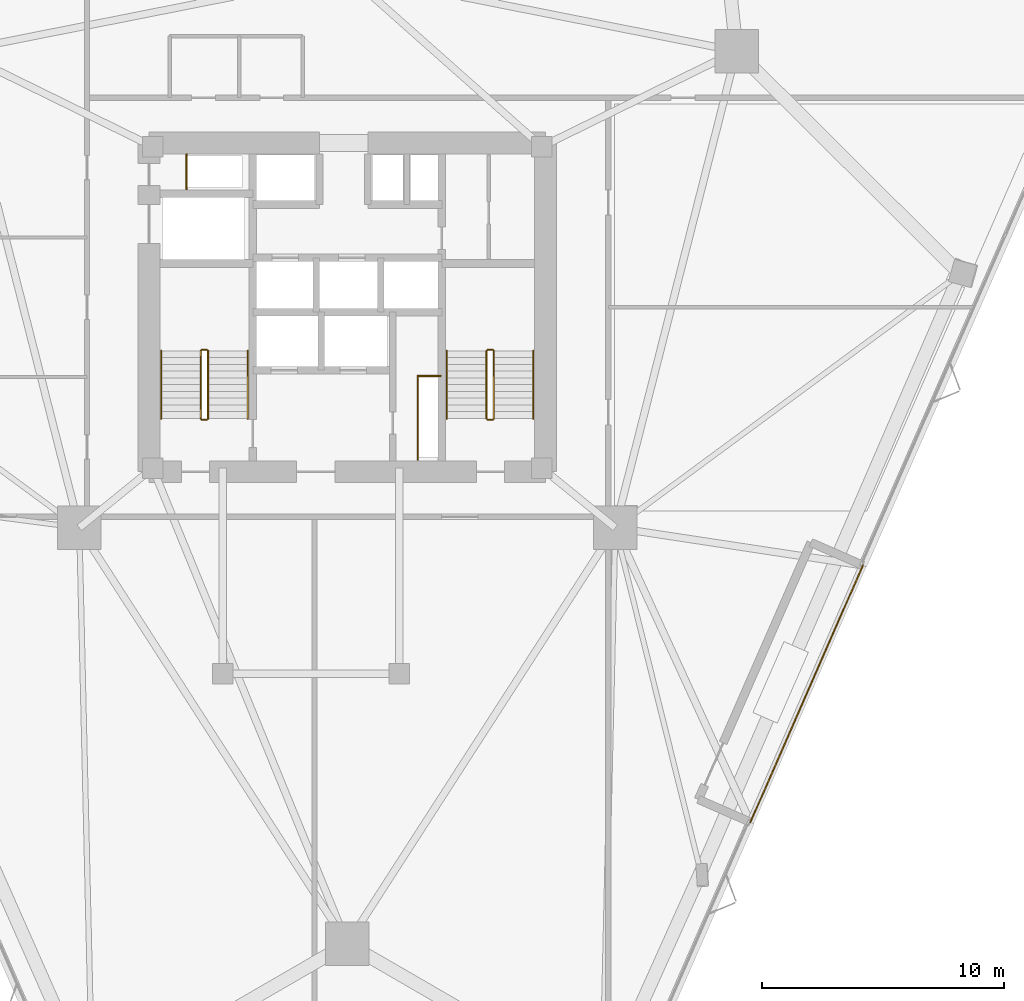
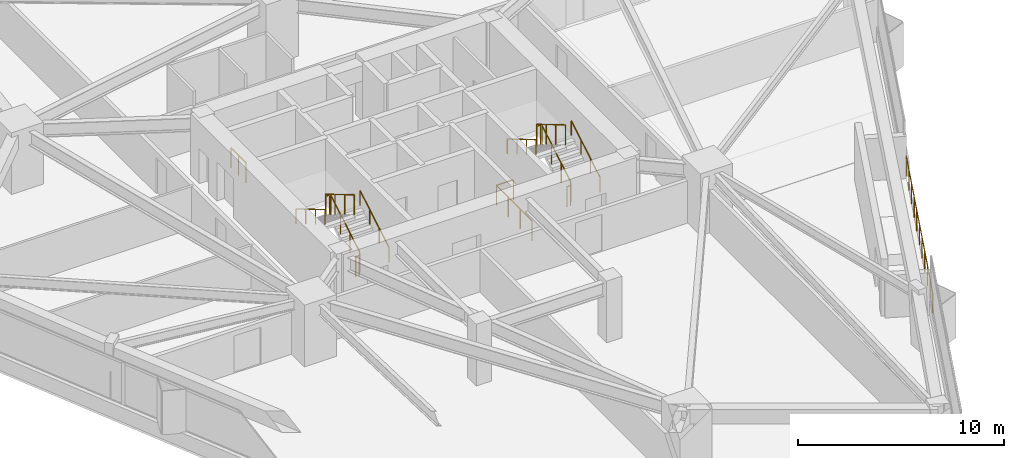
# One storey, part 15 of 16: 15 railings.
"""IFC4 building model written with IfcOpenShell, lengths in metres."""

import ifcopenshell
import ifcopenshell.guid

model = None  # the IFC model being written
_history = None  # IfcOwnerHistory: only IFC2X3 demands one
_inside = {}  # id of a spatial element -> (the spatial element, [elements in it])
_under = {}  # id of a project, library or spatial element -> (it, [spatial elements below it])
_declared = {}  # id of a project -> (the project, [libraries it declares])
_typed = {}  # id of a type object -> (the type object, [elements of that type])
_made_of = {}  # id of a material, layer set ... -> (it, [elements and type objects made of it])


def new_model(schema):
    """Start an empty IFC model of exactly this schema.

    Asked for "IFC4X3", IfcOpenShell would pick the latest addendum, in which some entities
    have other attributes; the version numbers below select the first issue.
    IFC2X3 requires an IfcOwnerHistory on every rooted entity: one is made here for all.
    """
    global model, _history
    if schema == "IFC4X3":
        model = ifcopenshell.file(schema_version=(4, 3, 0, 0))
    else:
        model = ifcopenshell.file(schema=schema)
    _inside.clear()
    _under.clear()
    _declared.clear()
    _typed.clear()
    _made_of.clear()
    _history = None
    if model.schema == "IFC2X3":
        org = make("IfcOrganization", Name="unknown")
        user = make(
            "IfcPersonAndOrganization",
            ThePerson=make("IfcPerson", FamilyName="unknown"),
            TheOrganization=org,
        )
        app = make(
            "IfcApplication",
            ApplicationDeveloper=org,
            Version="unknown",
            ApplicationFullName="unknown",
            ApplicationIdentifier="unknown",
        )
        _history = make(
            "IfcOwnerHistory",
            OwningUser=user,
            OwningApplication=app,
            ChangeAction="ADDED",
            CreationDate=0,
        )
    return model


def make(cls, **values):
    """One entity of the class cls with the attributes given. An attribute that is None is left unset."""
    return model.create_entity(
        cls, **{name: value for name, value in values.items() if value is not None}
    )


def rooted(cls, **values):
    """An entity with a GlobalId (a new one), such as an element, a storey or a relation."""
    return make(cls, GlobalId=ifcopenshell.guid.new(), OwnerHistory=_history, **values)


def si_unit(unit_type, name, prefix=None):
    """IfcSIUnit, for example si_unit("LENGTHUNIT", "METRE", prefix="MILLI")."""
    return make("IfcSIUnit", UnitType=unit_type, Prefix=prefix, Name=name)


def assignment(units):
    """IfcUnitAssignment: the units of a project."""
    return None if units is None else make("IfcUnitAssignment", Units=units)


def point(xyz):
    """IfcCartesianPoint."""
    return None if xyz is None else make("IfcCartesianPoint", Coordinates=xyz)


def direction(xyz):
    """IfcDirection."""
    return None if xyz is None else make("IfcDirection", DirectionRatios=xyz)


def frame(location, z_axis=None, x_axis=None):
    """IfcAxis2Placement3D, a coordinate frame: its origin and axes. An axis left out is left unset."""
    return make(
        "IfcAxis2Placement3D",
        Location=point(location),
        Axis=direction(z_axis),
        RefDirection=direction(x_axis),
    )


def frame_2d(location, x_axis=None):
    """IfcAxis2Placement2D, a coordinate frame in the plane: its origin and x axis."""
    return make(
        "IfcAxis2Placement2D", Location=point(location), RefDirection=direction(x_axis)
    )


def origin():
    """The frame at (0, 0, 0) with its axes left unset."""
    return frame((0.0, 0.0, 0.0))


def origin_2d():
    """The frame at (0, 0) in the plane with its x axis left unset."""
    return frame_2d((0.0, 0.0))


def place(relative_to, where):
    """IfcLocalPlacement: puts the frame where relative to a parent placement (None: the world)."""
    return make(
        "IfcLocalPlacement", PlacementRelTo=relative_to, RelativePlacement=where
    )


def context(
    kind, dimensions, precision=None, world=None, true_north=None, identifier=None
):
    """IfcGeometricRepresentationContext, for example the 3D "Model" context."""
    return make(
        "IfcGeometricRepresentationContext",
        ContextIdentifier=identifier,
        ContextType=kind,
        CoordinateSpaceDimension=dimensions,
        Precision=precision,
        WorldCoordinateSystem=world,
        TrueNorth=true_north,
    )


def subcontext(parent, identifier, kind, view, scale=None):
    """IfcGeometricRepresentationSubContext, for example "Body" below "Model"."""
    return make(
        "IfcGeometricRepresentationSubContext",
        ContextIdentifier=identifier,
        ContextType=kind,
        ParentContext=parent,
        TargetScale=scale,
        TargetView=view,
    )


def project(units=None, contexts=None):
    """IfcProject with its units and contexts."""
    return rooted(
        "IfcProject",
        Name="project",
        RepresentationContexts=contexts,
        UnitsInContext=assignment(units),
    )


def spatial(cls, under=None, at=None, **own):
    """A site, building, storey or space (cls), placed at a placement, below another one or the project."""
    s = rooted(cls, ObjectPlacement=at, **own)
    if under is not None:
        _under.setdefault(under.id(), (under, []))[1].append(s)
    return s


def profile(cls, at=None, kind="AREA", **sizes):
    """A parametric profile (cls). Its sizes go by their IFC names, for example OverallWidth=200.0."""
    return make(cls, ProfileType=kind, Position=at, **sizes)


def rectangle(**sizes):
    """IfcRectangleProfileDef."""
    return profile("IfcRectangleProfileDef", **sizes)


def extrude(swept, where, along, depth):
    """IfcExtrudedAreaSolid: the profile swept, set in the frame where, extruded along a direction by depth."""
    return make(
        "IfcExtrudedAreaSolid",
        SweptArea=swept,
        Position=where,
        ExtrudedDirection=direction(along),
        Depth=depth,
    )


def shape(context_of_items, identifier, shape_type, items):
    """IfcShapeRepresentation: the items that make up one representation, for example the "Body"."""
    return make(
        "IfcShapeRepresentation",
        ContextOfItems=context_of_items,
        RepresentationIdentifier=identifier,
        RepresentationType=shape_type,
        Items=items,
    )


def material(Name=None, Category=None):
    """IfcMaterial."""
    return make("IfcMaterial", Name=Name, Category=Category)


def made_of(thing, what):
    """Note that an element or type object is made of a material, layer set ...; save() writes the relation."""
    if what is not None:
        _made_of.setdefault(what.id(), (what, []))[1].append(thing)
    return thing


def type_object(cls, material=None, **own):
    """A type object (cls), such as IfcWallType, which elements share."""
    return made_of(rooted(cls, **own), material)


def element(
    cls,
    number,
    at=None,
    inside=None,
    cuts=None,
    type_object=None,
    material=None,
    context=None,
    identifier="Body",
    shape_type=None,
    held_by="IfcProductDefinitionShape",
    body=None,
    shapes=None,
    **own,
):
    """One element of the class cls, such as IfcWall. Its Tag is "e" and its number.

    at: its placement. inside: the storey or other place that contains it. cuts: it is an
    opening in that element (IfcRelVoidsElement). A single representation is given by context,
    identifier, shape_type and body (its items); several are given by shapes. held_by: the class
    of the entity that holds the representations. save() writes the other relations.
    """
    e = rooted(cls, Tag="e%d" % number, ObjectPlacement=at, **own)
    if body is not None:
        shapes = [shape(context, identifier, shape_type, body)]
    if shapes is not None:
        e.Representation = make(held_by, Representations=shapes)
    if inside is not None:
        _inside.setdefault(inside.id(), (inside, []))[1].append(e)
    if cuts is not None:
        rooted(
            "IfcRelVoidsElement", RelatingBuildingElement=cuts, RelatedOpeningElement=e
        )
    if type_object is not None:
        _typed.setdefault(type_object.id(), (type_object, []))[1].append(e)
    return made_of(e, material)


def aggregate(whole, parts):
    """IfcRelAggregates: a whole, such as a stair, and the parts it consists of."""
    return rooted("IfcRelAggregates", RelatingObject=whole, RelatedObjects=parts)


def save(model, path):
    """Write the relations noted so far, then the file.

    IfcRelAggregates (storeys below a building ...), IfcRelContainedInSpatialStructure (elements
    in a storey), IfcRelDefinesByType, IfcRelAssociatesMaterial and IfcRelDeclares: one each for
    every whole, place, type object, material and project.
    """
    for whole, parts in _under.values():
        aggregate(whole, parts)
    for where, things in _inside.values():
        rooted(
            "IfcRelContainedInSpatialStructure",
            RelatedElements=things,
            RelatingStructure=where,
        )
    for kind, things in _typed.values():
        rooted("IfcRelDefinesByType", RelatedObjects=things, RelatingType=kind)
    for what, things in _made_of.values():
        rooted("IfcRelAssociatesMaterial", RelatedObjects=things, RelatingMaterial=what)
    for by, libraries in _declared.values():
        rooted("IfcRelDeclares", RelatingContext=by, RelatedDefinitions=libraries)
    model.write(path)


model = new_model("IFC4")

# Units and contexts
model_context = context("Model", 3, precision=1e-05, world=origin(), true_north=direction((0.0, 1.0)))
body_context = subcontext(model_context, "Body", "Model", "MODEL_VIEW")
ifc_project = project(units=[si_unit("LENGTHUNIT", "METRE"), si_unit("AREAUNIT", "SQUARE_METRE"), si_unit("VOLUMEUNIT", "CUBIC_METRE"), si_unit("PLANEANGLEUNIT", "RADIAN"), si_unit("MASSUNIT", "GRAM", prefix="KILO")], contexts=[model_context])

# Site, building, storey
site_placement = place(None, origin())
site = spatial("IfcSite", under=ifc_project, at=site_placement, CompositionType="ELEMENT")
building_placement = place(site_placement, origin())
building = spatial("IfcBuilding", under=site, at=building_placement, Name="Talyreon Biosciences Tower", CompositionType="ELEMENT")
storey_placement = place(building_placement, frame((0.0, 0.0, 44.699951171875)))
storey = spatial("IfcBuildingStorey", under=building, at=storey_placement, Name="L11", CompositionType="ELEMENT", Elevation=44.699951171875)

# Railings
ifc_material_1 = material(Name="Stainless-steel and laminated glass balustrade", Category="steel")
railing_type_1 = type_object("IfcRailingType", Name="SkyGardenGlassBalustrade_1250", PredefinedType="GUARDRAIL", material=ifc_material_1)
railing_1_placement = place(storey_placement, frame((87.330078125, 57.32568359375, 0.0)))
element("IfcRailing", 1, at=railing_1_placement, inside=storey, type_object=railing_type_1, Name="L11 Terrace Edge Balustrade 03", PredefinedType="GUARDRAIL", context=body_context, shape_type="SweptSolid", body=[
    extrude(rectangle(XDim=0.048095703125, YDim=0.048095703125, at=origin_2d()), frame((0.0, 0.0, 1.22607421875), z_axis=(-0.401088215293, -0.916039433405, 0.0), x_axis=(0.916039433405, -0.401088215293, 0.0)), (0.0, 0.0, 1.0), 11.599853515625),
    extrude(rectangle(XDim=0.0419921875, YDim=0.0419921875, at=origin_2d()), origin(), (0.0, 0.0, 1.0), 1.201904296875),
    extrude(rectangle(XDim=0.0419921875, YDim=0.0419921875, at=origin_2d()), frame((-0.46533203125, -1.0625, 0.0)), (0.0, 0.0, 1.0), 1.201904296875),
    extrude(rectangle(XDim=0.0419921875, YDim=0.0419921875, at=origin_2d()), frame((-0.930419921875, -2.125244140625, 0.0)), (0.0, 0.0, 1.0), 1.201904296875),
    extrude(rectangle(XDim=0.0419921875, YDim=0.0419921875, at=origin_2d()), frame((-1.395751953125, -3.187744140625, 0.0)), (0.0, 0.0, 1.0), 1.201904296875),
    extrude(rectangle(XDim=0.0419921875, YDim=0.0419921875, at=origin_2d()), frame((-1.861083984375, -4.25048828125, 0.0)), (0.0, 0.0, 1.0), 1.201904296875),
    extrude(rectangle(XDim=0.0419921875, YDim=0.0419921875, at=origin_2d()), frame((-2.326171875, -5.31298828125, 0.0)), (0.0, 0.0, 1.0), 1.201904296875),
    extrude(rectangle(XDim=0.0419921875, YDim=0.0419921875, at=origin_2d()), frame((-2.79150390625, -6.37548828125, 0.0)), (0.0, 0.0, 1.0), 1.201904296875),
    extrude(rectangle(XDim=0.0419921875, YDim=0.0419921875, at=origin_2d()), frame((-3.2568359375, -7.438232421875, 0.0)), (0.0, 0.0, 1.0), 1.201904296875),
    extrude(rectangle(XDim=0.0419921875, YDim=0.0419921875, at=origin_2d()), frame((-3.72216796875, -8.500732421875, 0.0)), (0.0, 0.0, 1.0), 1.201904296875),
    extrude(rectangle(XDim=0.0419921875, YDim=0.0419921875, at=origin_2d()), frame((-4.187255859375, -9.5634765625, 0.0)), (0.0, 0.0, 1.0), 1.201904296875),
    extrude(rectangle(XDim=0.0419921875, YDim=0.0419921875, at=origin_2d()), frame((-4.652587890625, -10.6259765625, 0.0)), (0.0, 0.0, 1.0), 1.201904296875),
])
ifc_material_2 = material(Name="Brushed stainless-steel tubular handrail", Category="steel")
railing_type_2 = type_object("IfcRailingType", Name="StairWallHandrail_900", PredefinedType="HANDRAIL", material=ifc_material_2)
railing_2_placement = place(storey_placement, frame((61.8798828125, 63.39990234375, 0.166015625)))
element("IfcRailing", 2, at=railing_2_placement, inside=storey, type_object=railing_type_2, Name="L11 ST-1 stair handrail 1", PredefinedType="HANDRAIL", context=body_context, shape_type="SweptSolid", body=[
    extrude(rectangle(XDim=0.048095703125, YDim=0.048095703125, at=origin_2d()), frame((0.0, 0.0, 0.8759765625), z_axis=(0.0, 0.860339051648, 0.50972219513), x_axis=(-1.0, 0.0, 0.0)), (0.0, 0.0, 1.0), 3.254638671875),
    extrude(rectangle(XDim=0.0419921875, YDim=0.0419921875, at=origin_2d()), origin(), (0.0, 0.0, 1.0), 0.851806640625),
    extrude(rectangle(XDim=0.0419921875, YDim=0.0419921875, at=origin_2d()), frame((0.0, 0.933349609375, 0.552978515625)), (0.0, 0.0, 1.0), 0.851806640625),
    extrude(rectangle(XDim=0.0419921875, YDim=0.0419921875, at=origin_2d()), frame((0.0, 1.86669921875, 1.10595703125)), (0.0, 0.0, 1.0), 0.851806640625),
    extrude(rectangle(XDim=0.0419921875, YDim=0.0419921875, at=origin_2d()), frame((0.0, 2.800048828125, 1.658935546875)), (0.0, 0.0, 1.0), 0.851806640625),
])
railing_3_placement = place(storey_placement, frame((58.300048828125, 66.199951171875, 1.990966796875)))
element("IfcRailing", 3, at=railing_3_placement, inside=storey, type_object=railing_type_2, Name="L11 ST-1 stair handrail 2", PredefinedType="HANDRAIL", context=body_context, shape_type="SweptSolid", body=[
    extrude(rectangle(XDim=0.048095703125, YDim=0.048095703125, at=origin_2d()), frame((0.0, 0.0, 0.8759765625), z_axis=(0.0, -0.860306154799, 0.50977771628), x_axis=(1.0, 0.0, 0.0)), (0.0, 0.0, 1.0), 3.254638671875),
    extrude(rectangle(XDim=0.0419921875, YDim=0.0419921875, at=origin_2d()), origin(), (0.0, 0.0, 1.0), 0.851806640625),
    extrude(rectangle(XDim=0.0419921875, YDim=0.0419921875, at=origin_2d()), frame((0.0, -0.933349609375, 0.552978515625)), (0.0, 0.0, 1.0), 0.851806640625),
    extrude(rectangle(XDim=0.0419921875, YDim=0.0419921875, at=origin_2d()), frame((0.0, -1.86669921875, 1.106201171875)), (0.0, 0.0, 1.0), 0.851806640625),
    extrude(rectangle(XDim=0.0419921875, YDim=0.0419921875, at=origin_2d()), frame((0.0, -2.800048828125, 1.6591796875)), (0.0, 0.0, 1.0), 0.851806640625),
])
railing_4_placement = place(storey_placement, frame((73.699951171875, 63.39990234375, 0.166015625)))
element("IfcRailing", 4, at=railing_4_placement, inside=storey, type_object=railing_type_2, Name="L11 ST-2 stair handrail 1", PredefinedType="HANDRAIL", context=body_context, shape_type="SweptSolid", body=[
    extrude(rectangle(XDim=0.048095703125, YDim=0.048095703125, at=origin_2d()), frame((0.0, 0.0, 0.8759765625), z_axis=(0.0, 0.860339051648, 0.50972219513), x_axis=(-1.0, 0.0, 0.0)), (0.0, 0.0, 1.0), 3.254638671875),
    extrude(rectangle(XDim=0.0419921875, YDim=0.0419921875, at=origin_2d()), origin(), (0.0, 0.0, 1.0), 0.851806640625),
    extrude(rectangle(XDim=0.0419921875, YDim=0.0419921875, at=origin_2d()), frame((0.0, 0.933349609375, 0.552978515625)), (0.0, 0.0, 1.0), 0.851806640625),
    extrude(rectangle(XDim=0.0419921875, YDim=0.0419921875, at=origin_2d()), frame((0.0, 1.86669921875, 1.10595703125)), (0.0, 0.0, 1.0), 0.851806640625),
    extrude(rectangle(XDim=0.0419921875, YDim=0.0419921875, at=origin_2d()), frame((0.0, 2.800048828125, 1.658935546875)), (0.0, 0.0, 1.0), 0.851806640625),
])
railing_5_placement = place(storey_placement, frame((70.1201171875, 66.199951171875, 1.990966796875)))
element("IfcRailing", 5, at=railing_5_placement, inside=storey, type_object=railing_type_2, Name="L11 ST-2 stair handrail 2", PredefinedType="HANDRAIL", context=body_context, shape_type="SweptSolid", body=[
    extrude(rectangle(XDim=0.048095703125, YDim=0.048095703125, at=origin_2d()), frame((0.0, 0.0, 0.8759765625), z_axis=(0.0, -0.860306154799, 0.50977771628), x_axis=(1.0, 0.0, 0.0)), (0.0, 0.0, 1.0), 3.254638671875),
    extrude(rectangle(XDim=0.0419921875, YDim=0.0419921875, at=origin_2d()), origin(), (0.0, 0.0, 1.0), 0.851806640625),
    extrude(rectangle(XDim=0.0419921875, YDim=0.0419921875, at=origin_2d()), frame((0.0, -0.933349609375, 0.552978515625)), (0.0, 0.0, 1.0), 0.851806640625),
    extrude(rectangle(XDim=0.0419921875, YDim=0.0419921875, at=origin_2d()), frame((0.0, -1.86669921875, 1.106201171875)), (0.0, 0.0, 1.0), 0.851806640625),
    extrude(rectangle(XDim=0.0419921875, YDim=0.0419921875, at=origin_2d()), frame((0.0, -2.800048828125, 1.6591796875)), (0.0, 0.0, 1.0), 0.851806640625),
])
ifc_material_3 = material(Name="Painted galvanised steel post-and-rail balustrade", Category="steel")
railing_type_3 = type_object("IfcRailingType", Name="TerraceStairGuard_1200", PredefinedType="GUARDRAIL", material=ifc_material_3)
railing_6_placement = place(storey_placement, frame((60.239990234375, 63.39990234375, 0.166015625)))
element("IfcRailing", 6, at=railing_6_placement, inside=storey, type_object=railing_type_3, Name="L11 ST-1 stair guard 1", PredefinedType="GUARDRAIL", context=body_context, shape_type="SweptSolid", body=[
    extrude(rectangle(XDim=0.048095703125, YDim=0.048095703125, at=origin_2d()), frame((0.0, 0.0, 1.17578125), z_axis=(0.0, 0.860339051648, 0.50972219513), x_axis=(-1.0, 0.0, 0.0)), (0.0, 0.0, 1.0), 3.254638671875),
    extrude(rectangle(XDim=0.0419921875, YDim=0.0419921875, at=origin_2d()), origin(), (0.0, 0.0, 1.0), 1.15185546875),
    extrude(rectangle(XDim=0.0419921875, YDim=0.0419921875, at=origin_2d()), frame((0.0, 0.933349609375, 0.552978515625)), (0.0, 0.0, 1.0), 1.15185546875),
    extrude(rectangle(XDim=0.0419921875, YDim=0.0419921875, at=origin_2d()), frame((0.0, 1.86669921875, 1.10595703125)), (0.0, 0.0, 1.0), 1.15185546875),
    extrude(rectangle(XDim=0.0419921875, YDim=0.0419921875, at=origin_2d()), frame((0.0, 2.800048828125, 1.658935546875)), (0.0, 0.0, 1.0), 1.15185546875),
])
railing_7_placement = place(storey_placement, frame((60.18994140625, 66.25, 1.824951171875)))
element("IfcRailing", 7, at=railing_7_placement, inside=storey, type_object=railing_type_3, Name="L11 ST-1 stair guard 2", PredefinedType="GUARDRAIL", context=body_context, shape_type="SweptSolid", body=[
    extrude(rectangle(XDim=0.048095703125, YDim=0.048095703125, at=origin_2d()), frame((0.0, 0.0, 1.17578125), z_axis=(-1.0, 0.0, 0.0), x_axis=(0.0, -1.0, 0.0)), (0.0, 0.0, 1.0), 0.199951171875),
    extrude(rectangle(XDim=0.0419921875, YDim=0.0419921875, at=origin_2d()), origin(), (0.0, 0.0, 1.0), 1.15185546875),
    extrude(rectangle(XDim=0.0419921875, YDim=0.0419921875, at=origin_2d()), frame((-0.199951171875, 0.0, 0.0)), (0.0, 0.0, 1.0), 1.15185546875),
])
railing_8_placement = place(storey_placement, frame((59.93994140625, 66.199951171875, 1.990966796875)))
element("IfcRailing", 8, at=railing_8_placement, inside=storey, type_object=railing_type_3, Name="L11 ST-1 stair guard 3", PredefinedType="GUARDRAIL", context=body_context, shape_type="SweptSolid", body=[
    extrude(rectangle(XDim=0.048095703125, YDim=0.048095703125, at=origin_2d()), frame((0.0, 0.0, 1.17578125), z_axis=(0.0, -0.860306154799, 0.50977771628), x_axis=(1.0, 0.0, 0.0)), (0.0, 0.0, 1.0), 3.254638671875),
    extrude(rectangle(XDim=0.0419921875, YDim=0.0419921875, at=origin_2d()), origin(), (0.0, 0.0, 1.0), 1.15185546875),
    extrude(rectangle(XDim=0.0419921875, YDim=0.0419921875, at=origin_2d()), frame((0.0, -0.933349609375, 0.552978515625)), (0.0, 0.0, 1.0), 1.15185546875),
    extrude(rectangle(XDim=0.0419921875, YDim=0.0419921875, at=origin_2d()), frame((0.0, -1.86669921875, 1.106201171875)), (0.0, 0.0, 1.0), 1.15185546875),
    extrude(rectangle(XDim=0.0419921875, YDim=0.0419921875, at=origin_2d()), frame((0.0, -2.800048828125, 1.6591796875)), (0.0, 0.0, 1.0), 1.15185546875),
])
railing_9_placement = place(storey_placement, frame((60.18994140625, 63.35009765625, 0.0)))
element("IfcRailing", 9, at=railing_9_placement, inside=storey, type_object=railing_type_3, Name="L11 ST-1 stair guard 4", PredefinedType="GUARDRAIL", context=body_context, shape_type="SweptSolid", body=[
    extrude(rectangle(XDim=0.048095703125, YDim=0.048095703125, at=origin_2d()), frame((0.0, 0.0, 1.17578125), z_axis=(-1.0, 0.0, 0.0), x_axis=(0.0, -1.0, 0.0)), (0.0, 0.0, 1.0), 0.199951171875),
    extrude(rectangle(XDim=0.0419921875, YDim=0.0419921875, at=origin_2d()), origin(), (0.0, 0.0, 1.0), 1.15185546875),
    extrude(rectangle(XDim=0.0419921875, YDim=0.0419921875, at=origin_2d()), frame((-0.199951171875, 0.0, 0.0)), (0.0, 0.0, 1.0), 1.15185546875),
])
railing_10_placement = place(storey_placement, frame((72.06005859375, 63.39990234375, 0.166015625)))
element("IfcRailing", 10, at=railing_10_placement, inside=storey, type_object=railing_type_3, Name="L11 ST-2 stair guard 1", PredefinedType="GUARDRAIL", context=body_context, shape_type="SweptSolid", body=[
    extrude(rectangle(XDim=0.048095703125, YDim=0.048095703125, at=origin_2d()), frame((0.0, 0.0, 1.17578125), z_axis=(0.0, 0.860339051648, 0.50972219513), x_axis=(-1.0, 0.0, 0.0)), (0.0, 0.0, 1.0), 3.254638671875),
    extrude(rectangle(XDim=0.0419921875, YDim=0.0419921875, at=origin_2d()), origin(), (0.0, 0.0, 1.0), 1.15185546875),
    extrude(rectangle(XDim=0.0419921875, YDim=0.0419921875, at=origin_2d()), frame((0.0, 0.933349609375, 0.552978515625)), (0.0, 0.0, 1.0), 1.15185546875),
    extrude(rectangle(XDim=0.0419921875, YDim=0.0419921875, at=origin_2d()), frame((0.0, 1.86669921875, 1.10595703125)), (0.0, 0.0, 1.0), 1.15185546875),
    extrude(rectangle(XDim=0.0419921875, YDim=0.0419921875, at=origin_2d()), frame((0.0, 2.800048828125, 1.658935546875)), (0.0, 0.0, 1.0), 1.15185546875),
])
railing_11_placement = place(storey_placement, frame((72.010009765625, 66.25, 1.824951171875)))
element("IfcRailing", 11, at=railing_11_placement, inside=storey, type_object=railing_type_3, Name="L11 ST-2 stair guard 2", PredefinedType="GUARDRAIL", context=body_context, shape_type="SweptSolid", body=[
    extrude(rectangle(XDim=0.048095703125, YDim=0.048095703125, at=origin_2d()), frame((0.0, 0.0, 1.17578125), z_axis=(-1.0, 0.0, 0.0), x_axis=(0.0, -1.0, 0.0)), (0.0, 0.0, 1.0), 0.199951171875),
    extrude(rectangle(XDim=0.0419921875, YDim=0.0419921875, at=origin_2d()), origin(), (0.0, 0.0, 1.0), 1.15185546875),
    extrude(rectangle(XDim=0.0419921875, YDim=0.0419921875, at=origin_2d()), frame((-0.199951171875, 0.0, 0.0)), (0.0, 0.0, 1.0), 1.15185546875),
])
railing_12_placement = place(storey_placement, frame((71.760009765625, 66.199951171875, 1.990966796875)))
element("IfcRailing", 12, at=railing_12_placement, inside=storey, type_object=railing_type_3, Name="L11 ST-2 stair guard 3", PredefinedType="GUARDRAIL", context=body_context, shape_type="SweptSolid", body=[
    extrude(rectangle(XDim=0.048095703125, YDim=0.048095703125, at=origin_2d()), frame((0.0, 0.0, 1.17578125), z_axis=(0.0, -0.860306154799, 0.50977771628), x_axis=(1.0, 0.0, 0.0)), (0.0, 0.0, 1.0), 3.254638671875),
    extrude(rectangle(XDim=0.0419921875, YDim=0.0419921875, at=origin_2d()), origin(), (0.0, 0.0, 1.0), 1.15185546875),
    extrude(rectangle(XDim=0.0419921875, YDim=0.0419921875, at=origin_2d()), frame((0.0, -0.933349609375, 0.552978515625)), (0.0, 0.0, 1.0), 1.15185546875),
    extrude(rectangle(XDim=0.0419921875, YDim=0.0419921875, at=origin_2d()), frame((0.0, -1.86669921875, 1.106201171875)), (0.0, 0.0, 1.0), 1.15185546875),
    extrude(rectangle(XDim=0.0419921875, YDim=0.0419921875, at=origin_2d()), frame((0.0, -2.800048828125, 1.6591796875)), (0.0, 0.0, 1.0), 1.15185546875),
])
railing_13_placement = place(storey_placement, frame((72.010009765625, 63.35009765625, 0.0)))
element("IfcRailing", 13, at=railing_13_placement, inside=storey, type_object=railing_type_3, Name="L11 ST-2 stair guard 4", PredefinedType="GUARDRAIL", context=body_context, shape_type="SweptSolid", body=[
    extrude(rectangle(XDim=0.048095703125, YDim=0.048095703125, at=origin_2d()), frame((0.0, 0.0, 1.17578125), z_axis=(-1.0, 0.0, 0.0), x_axis=(0.0, -1.0, 0.0)), (0.0, 0.0, 1.0), 0.199951171875),
    extrude(rectangle(XDim=0.0419921875, YDim=0.0419921875, at=origin_2d()), origin(), (0.0, 0.0, 1.0), 1.15185546875),
    extrude(rectangle(XDim=0.0419921875, YDim=0.0419921875, at=origin_2d()), frame((-0.199951171875, 0.0, 0.0)), (0.0, 0.0, 1.0), 1.15185546875),
])
railing_14_placement = place(storey_placement, frame((59.35009765625, 72.8798828125, 0.0)))
element("IfcRailing", 14, at=railing_14_placement, inside=storey, type_object=railing_type_3, Name="L11 Exhaust Riser Maintenance Guardrail", PredefinedType="GUARDRAIL", context=body_context, shape_type="SweptSolid", body=[
    extrude(rectangle(XDim=0.048095703125, YDim=0.048095703125, at=origin_2d()), frame((0.0, 0.0, 1.17578125), z_axis=(0.0, 1.0, 0.0), x_axis=(-1.0, 0.0, 0.0)), (0.0, 0.0, 1.0), 1.4501953125),
    extrude(rectangle(XDim=0.0419921875, YDim=0.0419921875, at=origin_2d()), origin(), (0.0, 0.0, 1.0), 1.15185546875),
    extrude(rectangle(XDim=0.0419921875, YDim=0.0419921875, at=origin_2d()), frame((0.0, 0.72509765625, 0.0)), (0.0, 0.0, 1.0), 1.15185546875),
    extrude(rectangle(XDim=0.0419921875, YDim=0.0419921875, at=origin_2d()), frame((0.0, 1.4501953125, 0.0)), (0.0, 0.0, 1.0), 1.15185546875),
])
railing_15_placement = place(storey_placement, frame((68.909912109375, 61.699951171875, 0.0)))
element("IfcRailing", 15, at=railing_15_placement, inside=storey, type_object=railing_type_3, Name="L11 Electrical Riser Maintenance Guardrail", PredefinedType="GUARDRAIL", context=body_context, shape_type="SweptSolid", body=[
    extrude(rectangle(XDim=0.048095703125, YDim=0.048095703125, at=origin_2d()), frame((0.0, 0.0, 1.17578125), z_axis=(0.0, 1.0, 0.0), x_axis=(-1.0, 0.0, 0.0)), (0.0, 0.0, 1.0), 3.4599609375),
    extrude(rectangle(XDim=0.048095703125, YDim=0.048095703125, at=origin_2d()), frame((0.0, 3.4599609375, 1.17578125), z_axis=(1.0, 0.0, 0.0), x_axis=(0.0, 1.0, 0.0)), (0.0, 0.0, 1.0), 0.9501953125),
    extrude(rectangle(XDim=0.0419921875, YDim=0.0419921875, at=origin_2d()), origin(), (0.0, 0.0, 1.0), 1.15185546875),
    extrude(rectangle(XDim=0.0419921875, YDim=0.0419921875, at=origin_2d()), frame((0.0, 1.1533203125, 0.0)), (0.0, 0.0, 1.0), 1.15185546875),
    extrude(rectangle(XDim=0.0419921875, YDim=0.0419921875, at=origin_2d()), frame((0.0, 2.306640625, 0.0)), (0.0, 0.0, 1.0), 1.15185546875),
    extrude(rectangle(XDim=0.0419921875, YDim=0.0419921875, at=origin_2d()), frame((0.0, 3.4599609375, 0.0)), (0.0, 0.0, 1.0), 1.15185546875),
    extrude(rectangle(XDim=0.0419921875, YDim=0.0419921875, at=origin_2d()), frame((0.9501953125, 3.4599609375, 0.0)), (0.0, 0.0, 1.0), 1.15185546875),
])

save(model, "model.ifc")
